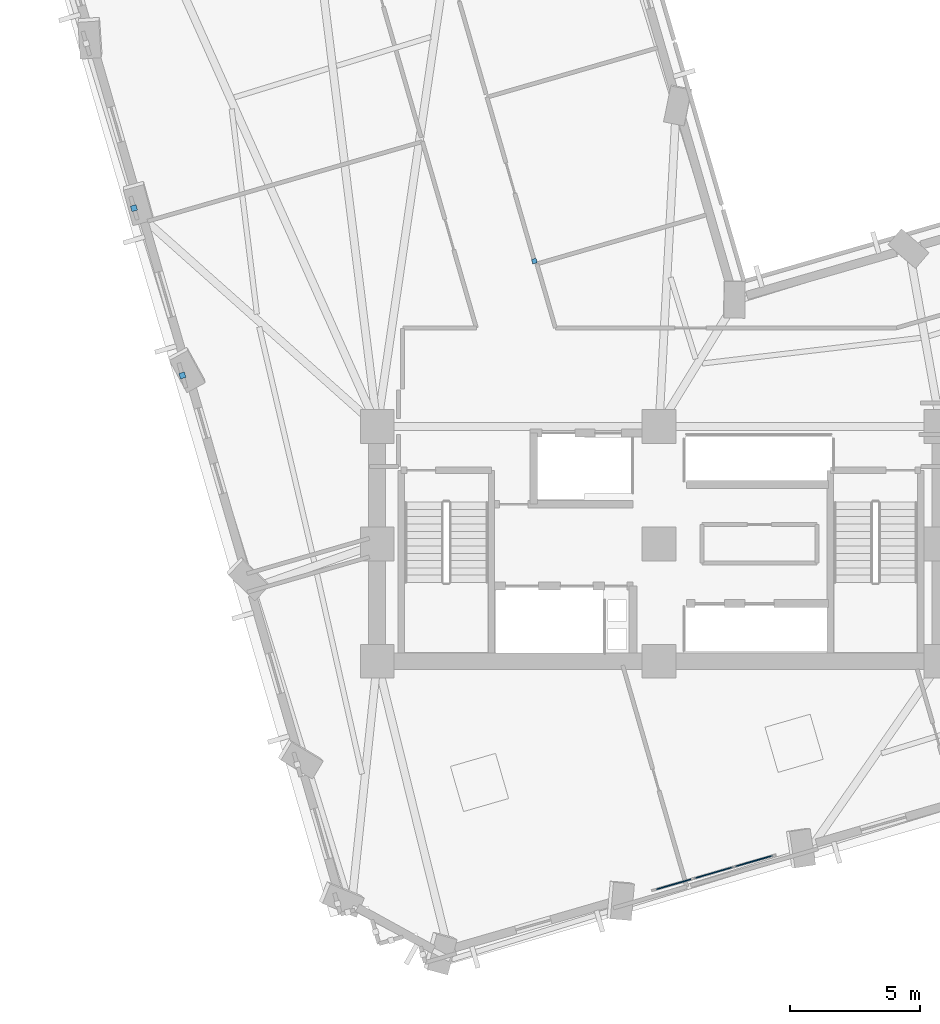
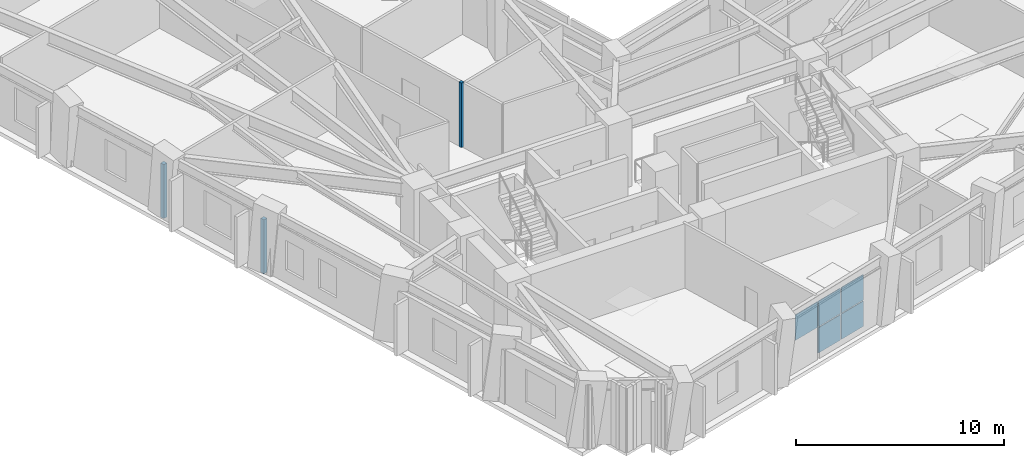
# One storey, part 4 of 15: 8 plates, 1 element without a shape of its own.
"""IFC4 building model written with IfcOpenShell, lengths in metres."""

from ifc_helpers import new_model, si_unit, direction, frame, origin, origin_2d, place, context, subcontext, project, spatial, rectangle, extrude, material, layer, layer_set, type_object, element, aggregate, save


model = new_model("IFC4")

# Units and contexts
model_context = context("Model", 3, precision=1e-05, world=origin(), true_north=direction((0.0, 1.0)))
body_context = subcontext(model_context, "Body", "Model", "MODEL_VIEW")
ifc_project = project(units=[si_unit("LENGTHUNIT", "METRE"), si_unit("AREAUNIT", "SQUARE_METRE"), si_unit("VOLUMEUNIT", "CUBIC_METRE"), si_unit("PLANEANGLEUNIT", "RADIAN"), si_unit("MASSUNIT", "GRAM", prefix="KILO")], contexts=[model_context])

# Site, building, storey
site_placement = place(None, origin())
site = spatial("IfcSite", under=ifc_project, at=site_placement, CompositionType="ELEMENT")
building_placement = place(site_placement, origin())
building = spatial("IfcBuilding", under=site, at=building_placement, Name="Gaonmaruhae Medical Tower", CompositionType="ELEMENT")
storey_placement = place(building_placement, frame((0.0, 0.0, 92.39990234375)))
storey = spatial("IfcBuildingStorey", under=building, at=storey_placement, Name="L21", CompositionType="ELEMENT", Elevation=92.39990234375)

# Curtain wall, plates
ifc_material_1 = material(Name="Anodised aluminium and Low-E double glazing", Category="aluminium")
curtain_wall_type = type_object("IfcCurtainWallType", Name="CW-S3 Spiralling Dayroom Ribbon Curtain Wall", PredefinedType="NOTDEFINED", material=ifc_material_1)
curtain_wall_placement = place(storey_placement, origin())
curtain_wall = element("IfcCurtainWall", 1, at=curtain_wall_placement, inside=storey, type_object=curtain_wall_type, Name="L21 Curtain Wall CW-L21-S02", PredefinedType="NOTDEFINED")
ifc_material_2 = material(Name="Insulated fritted spandrel glass", Category="glass")
ifc_layer_1 = layer(ifc_material_2, 0.0439453125)
ifc_layer_set_1 = layer_set([ifc_layer_1], Name="Insulated fritted spandrel glass")
plate_type_1 = type_object("IfcPlateType", Name="CWP-S1 Insulated Fritted Spandrel Panel", PredefinedType="CURTAIN_PANEL", material=ifc_layer_set_1)
plate_1_placement = place(storey_placement, frame((28.434326171875, 0.139892578125, 0.06494140625), z_axis=(0.0, 0.0, 1.0), x_axis=(-0.960540580971, -0.278139879032, 0.0)))
plate_1 = element("IfcPlate", 2, at=plate_1_placement, type_object=plate_type_1, Name="CW-S3 panel 1.1", PredefinedType="CURTAIN_PANEL", context=body_context, shape_type="SweptSolid", body=[
    extrude(rectangle(XDim=1.51513671875, YDim=0.0439453125, at=origin_2d()), origin(), (0.0, 0.0, 1.0), 1.485107421875),
])
plate_2_placement = place(storey_placement, frame((28.434326171875, 0.139892578125, 1.615234375), z_axis=(0.0, 0.0, 1.0), x_axis=(-0.960540580971, -0.278139879032, 0.0)))
plate_2 = element("IfcPlate", 3, at=plate_2_placement, type_object=plate_type_1, Name="CW-S3 panel 1.2", PredefinedType="CURTAIN_PANEL", context=body_context, shape_type="SweptSolid", body=[
    extrude(rectangle(XDim=1.51513671875, YDim=0.0439453125, at=origin_2d()), origin(), (0.0, 0.0, 1.0), 1.485107421875),
])
plate_3_placement = place(storey_placement, frame((26.90087890625, -0.303955078125, 0.06494140625), z_axis=(0.0, 0.0, 1.0), x_axis=(-0.960540580971, -0.278139879032, 0.0)))
plate_3 = element("IfcPlate", 4, at=plate_3_placement, type_object=plate_type_1, Name="CW-S3 panel 2.1", PredefinedType="CURTAIN_PANEL", context=body_context, shape_type="SweptSolid", body=[
    extrude(rectangle(XDim=1.5478515625, YDim=0.0439453125, at=origin_2d()), origin(), (0.0, 0.0, 1.0), 1.485107421875),
])
plate_4_placement = place(storey_placement, frame((26.90087890625, -0.303955078125, 1.615234375), z_axis=(0.0, 0.0, 1.0), x_axis=(-0.960540580971, -0.278139879032, 0.0)))
plate_4 = element("IfcPlate", 5, at=plate_4_placement, type_object=plate_type_1, Name="CW-S3 panel 2.2", PredefinedType="CURTAIN_PANEL", context=body_context, shape_type="SweptSolid", body=[
    extrude(rectangle(XDim=1.5478515625, YDim=0.0439453125, at=origin_2d()), origin(), (0.0, 0.0, 1.0), 1.485107421875),
])
plate_5_placement = place(storey_placement, frame((25.367431640625, -0.748046875, 1.615234375), z_axis=(0.0, 0.0, 1.0), x_axis=(-0.960540580971, -0.278139879032, 0.0)))
plate_5 = element("IfcPlate", 6, at=plate_5_placement, type_object=plate_type_1, Name="CW-S3 panel 3.2", PredefinedType="CURTAIN_PANEL", context=body_context, shape_type="SweptSolid", body=[
    extrude(rectangle(XDim=1.51513671875, YDim=0.0439453125, at=origin_2d()), origin(), (0.0, 0.0, 1.0), 1.485107421875),
])
aggregate(curtain_wall, [plate_1, plate_2, plate_3, plate_4, plate_5])

# Plates
ifc_material_3 = material(Name="Anodised aluminium 6063-T6", Category="aluminium")
ifc_layer_2 = layer(ifc_material_3, 0.011962890625)
ifc_layer_set_2 = layer_set([ifc_layer_2], Name="Anodised aluminium 6063-T6")
plate_type_2 = type_object("IfcPlateType", Name="PP-01 Interior Partition Corner Stiffener Plate", PredefinedType="SHEET", material=ifc_layer_set_2)
plate_6_placement = place(storey_placement, frame((20.0263671875, 23.13916015625, 0.0), z_axis=(0.0, 0.0, 1.0), x_axis=(-0.278169750071, 0.960531930831, 0.0)))
element("IfcPlate", 7, at=plate_6_placement, inside=storey, type_object=plate_type_2, Name="L21 Partition End Jamb Post Plate PLT-L21-ENDP-PW073-0", PredefinedType="SHEET", context=body_context, shape_type="SweptSolid", body=[
    extrude(rectangle(XDim=0.179931640625, YDim=0.179931640625, at=origin_2d()), origin(), (0.0, 0.0, 1.0), 3.780029296875),
])
for number, where, z_axis, x_axis, name in (
    (8, (6.532958984375, 18.755615234375, 0.0), (0.0, 0.0, 1.0), (-0.278186514473, 0.960527075707, 0.0), "L21 Partition Corner Stiffener Plate PLT-L21-JGP-PW041"),
    (9, (4.676025390625, 25.16845703125, 0.0), (0.0, 0.0, 1.0), (-0.278136221012, 0.960541640202, 0.0), "L21 Partition Corner Stiffener Plate PLT-L21-JGP-PW047"),
):
    element("IfcPlate", number, at=place(storey_placement, frame(where, z_axis=z_axis, x_axis=x_axis)), inside=storey, type_object=plate_type_2, Name=name, PredefinedType="SHEET", context=body_context, shape_type="SweptSolid", body=[
        extrude(rectangle(XDim=0.219970703125, YDim=0.219970703125, at=origin_2d()), origin(), (0.0, 0.0, 1.0), 3.1650390625),
    ])

save(model, "model.ifc")
